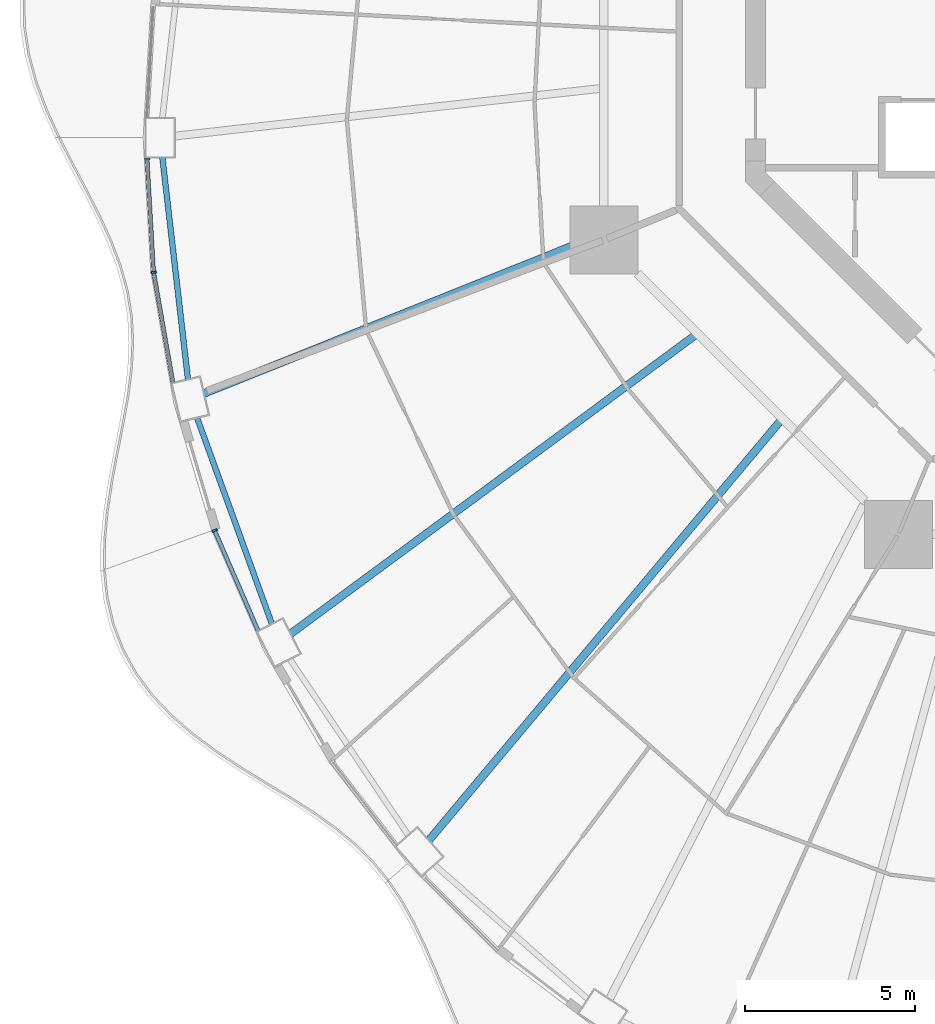
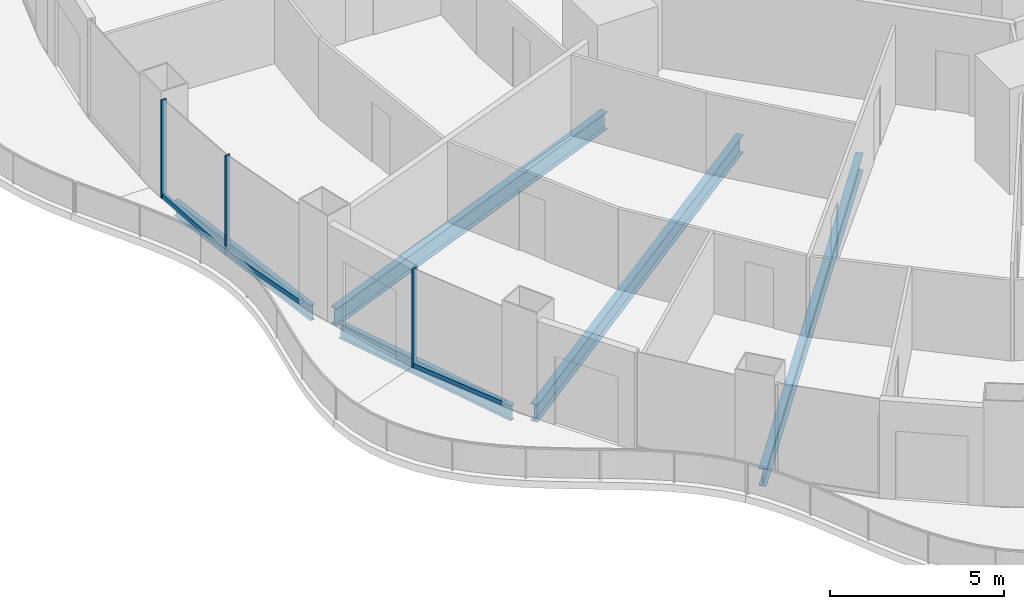
# One storey, part 3 of 20: 6 members, 5 beams, 3 elements without a shape of their own.
"""IFC4 building model written with IfcOpenShell, lengths in metres."""

from ifc_helpers import new_model, si_unit, direction, frame, origin, origin_2d, place, context, subcontext, project, spatial, rectangle, i_section, extrude, material, layer, layer_set, material_profile, profile_set, type_object, element, aggregate, save


model = new_model("IFC4")

# Units and contexts
model_context = context("Model", 3, precision=1e-05, world=origin(), true_north=direction((0.0, 1.0)))
body_context = subcontext(model_context, "Body", "Model", "MODEL_VIEW")
ifc_project = project(units=[si_unit("LENGTHUNIT", "METRE"), si_unit("AREAUNIT", "SQUARE_METRE"), si_unit("VOLUMEUNIT", "CUBIC_METRE"), si_unit("PLANEANGLEUNIT", "RADIAN"), si_unit("MASSUNIT", "GRAM", prefix="KILO")], contexts=[model_context])

# Site, building, storey
site_placement = place(None, origin())
site = spatial("IfcSite", under=ifc_project, at=site_placement, CompositionType="ELEMENT")
building_placement = place(site_placement, origin())
building = spatial("IfcBuilding", under=site, at=building_placement, Name="Nagisa Residences", CompositionType="ELEMENT")
storey_placement = place(building_placement, frame((0.0, 0.0, 152.89990234375)))
storey = spatial("IfcBuildingStorey", under=building, at=storey_placement, Name="L38", CompositionType="ELEMENT", Elevation=152.89990234375)

# Curtain wall, member
ifc_material_1 = material(Name="Concrete-coloured aluminium curtain wall system", Category="concrete")
ifc_layer = layer(ifc_material_1, 0.159912109375)
ifc_layer_set = layer_set([ifc_layer], Name="CW1 CURTAIN WALL")
curtain_wall_type = type_object("IfcCurtainWallType", Name="CW1 CURTAIN WALL", PredefinedType="NOTDEFINED", material=ifc_layer_set)
curtain_wall_1_placement = place(storey_placement, origin())
curtain_wall_1 = element("IfcCurtainWall", 1, at=curtain_wall_1_placement, inside=storey, type_object=curtain_wall_type, Name="cw:CW1:L38:24", PredefinedType="NOTDEFINED")
ifc_material_2 = material(Name="Concrete-coloured aluminium", Category="concrete")
ifc_material_profile_1 = material_profile(ifc_material_2, rectangle(XDim=0.159912109375, YDim=0.06005859375, at=origin_2d()), Name="CW1 MULLION 160x60")
ifc_profile_set_1 = profile_set([ifc_material_profile_1], Name="Concrete-coloured aluminium")
member_type_1 = type_object("IfcMemberType", Name="CW1 MULLION 160x60", PredefinedType="MULLION", material=ifc_profile_set_1)
member_1_placement = place(storey_placement, frame((-28.218994140625, -3.741943359375, 0.0), z_axis=(0.0, 0.0, 1.0), x_axis=(0.998345305184, 0.057503492216, 0.0)))
member_1 = element("IfcMember", 2, at=member_1_placement, type_object=member_type_1, Name="CW1 mullion", PredefinedType="MULLION", context=body_context, shape_type="SweptSolid", body=[
    extrude(rectangle(XDim=0.159912109375, YDim=0.06005859375, at=origin_2d()), origin(), (0.0, 0.0, 1.0), 3.440185546875),
])

curtain_wall_2_placement = place(storey_placement, origin())
curtain_wall_2 = element("IfcCurtainWall", 3, at=curtain_wall_2_placement, inside=storey, type_object=curtain_wall_type, Name="cw:CW1:L38:25", PredefinedType="NOTDEFINED")
member_2_placement = place(storey_placement, frame((-28.02392578125, -7.07470703125, 0.0), z_axis=(0.0, 0.0, 1.0), x_axis=(0.985063604377, 0.172190868898, 0.0)))
member_2 = element("IfcMember", 4, at=member_2_placement, type_object=member_type_1, Name="CW1 mullion", PredefinedType="MULLION", context=body_context, shape_type="SweptSolid", body=[
    extrude(rectangle(XDim=0.159912109375, YDim=0.06005859375, at=origin_2d()), origin(), (0.0, 0.0, 1.0), 3.440185546875),
])

curtain_wall_3_placement = place(storey_placement, origin())
curtain_wall_3 = element("IfcCurtainWall", 5, at=curtain_wall_3_placement, inside=storey, type_object=curtain_wall_type, Name="cw:CW1:L38:27", PredefinedType="NOTDEFINED")
member_3_placement = place(storey_placement, frame((-26.229736328125, -14.66845703125, 0.0), z_axis=(0.0, 0.0, 1.0), x_axis=(0.917543276295, 0.397635934147, 0.0)))
member_3 = element("IfcMember", 6, at=member_3_placement, type_object=member_type_1, Name="CW1 mullion", PredefinedType="MULLION", context=body_context, shape_type="SweptSolid", body=[
    extrude(rectangle(XDim=0.159912109375, YDim=0.06005859375, at=origin_2d()), origin(), (0.0, 0.0, 1.0), 3.440185546875),
])

# Member
ifc_material_3 = material(Name="Concrete-coloured aluminium", Category="concrete")
ifc_material_profile_2 = material_profile(ifc_material_3, rectangle(XDim=0.1201171875, YDim=0.14990234375, at=origin_2d()), Name="CW1 TRANSOM 120x150")
ifc_profile_set_2 = profile_set([ifc_material_profile_2], Name="Concrete-coloured aluminium")
member_type_2 = type_object("IfcMemberType", Name="CW1 TRANSOM 120x150", PredefinedType="USERDEFINED", material=ifc_profile_set_2)
member_4_placement = place(storey_placement, frame((-28.220703125, -3.712158203125, 0.0751953125), z_axis=(0.057537829427, -0.998343326809, 0.0), x_axis=(0.998343326809, 0.057537829427, 0.0)))
member_4 = element("IfcMember", 7, at=member_4_placement, type_object=member_type_2, Name="CW1 transom", ObjectType="TRANSOM", PredefinedType="USERDEFINED", context=body_context, shape_type="SweptSolid", body=[
    extrude(rectangle(XDim=0.1201171875, YDim=0.14990234375, at=origin_2d()), origin(), (0.0, 0.0, 1.0), 3.347900390625),
])

aggregate(curtain_wall_1, [member_1, member_4])

member_5_placement = place(storey_placement, frame((-28.029296875, -7.045166015625, 0.0751953125), z_axis=(0.172234609255, -0.985055957484, 0.0), x_axis=(0.985055957484, 0.172234609255, 0.0)))
member_5 = element("IfcMember", 8, at=member_5_placement, type_object=member_type_2, Name="CW1 transom", ObjectType="TRANSOM", PredefinedType="USERDEFINED", context=body_context, shape_type="SweptSolid", body=[
    extrude(rectangle(XDim=0.1201171875, YDim=0.14990234375, at=origin_2d()), origin(), (0.0, 0.0, 1.0), 3.33251953125),
])

aggregate(curtain_wall_2, [member_2, member_5])

member_6_placement = place(storey_placement, frame((-26.24169921875, -14.64111328125, 0.0751953125), z_axis=(0.397666272939, -0.917530127771, 0.0), x_axis=(0.917530127771, 0.397666272939, 0.0)))
member_6 = element("IfcMember", 9, at=member_6_placement, type_object=member_type_2, Name="CW1 transom", ObjectType="TRANSOM", PredefinedType="USERDEFINED", context=body_context, shape_type="SweptSolid", body=[
    extrude(rectangle(XDim=0.1201171875, YDim=0.14990234375, at=origin_2d()), origin(), (0.0, 0.0, 1.0), 3.260498046875),
])

aggregate(curtain_wall_3, [member_3, member_6])

# Beams
ifc_material_4 = material(Name="Steel ASTM A572 Gr 50", Category="steel")
ifc_material_profile_3 = material_profile(ifc_material_4, i_section(OverallWidth=0.166015625, OverallDepth=0.534912109375, WebThickness=0.01025390625, FlangeThickness=0.0166015625, at=origin_2d()), Name="W530x85")
ifc_profile_set_3 = profile_set([ifc_material_profile_3], Name="Steel ASTM A572 Gr 50")
beam_type_1 = type_object("IfcBeamType", Name="Perimeter ring beam W530x85", PredefinedType="BEAM", material=ifc_profile_set_3)
beam_1_placement = place(storey_placement, frame((-27.76806640625, -3.69775390625, -0.52734375), z_axis=(0.114660786771, -0.993404703017, 0.0), x_axis=(0.993404703017, 0.114660786771, 0.0)))
element("IfcBeam", 10, at=beam_1_placement, inside=storey, type_object=beam_type_1, Name="beam:L38:pb13", PredefinedType="BEAM", context=body_context, shape_type="SweptSolid", body=[
    extrude(i_section(OverallWidth=0.166015625, OverallDepth=0.534912109375, WebThickness=0.01025390625, FlangeThickness=0.0166015625, at=origin_2d()), origin(), (0.0, 0.0, 1.0), 6.568603515625),
])
beam_2_placement = place(storey_placement, frame((-26.74853515625, -11.352294921875, -0.52734375), z_axis=(0.341366238276, -0.939930365168, 0.0), x_axis=(0.939930365168, 0.341366238276, 0.0)))
element("IfcBeam", 11, at=beam_2_placement, inside=storey, type_object=beam_type_1, Name="beam:L38:pb14", PredefinedType="BEAM", context=body_context, shape_type="SweptSolid", body=[
    extrude(i_section(OverallWidth=0.166015625, OverallDepth=0.534912109375, WebThickness=0.01025390625, FlangeThickness=0.0166015625, at=origin_2d()), origin(), (0.0, 0.0, 1.0), 6.450927734375),
])
ifc_material_5 = material(Name="Steel ASTM A572 Gr 50", Category="steel")
ifc_material_profile_4 = material_profile(ifc_material_5, i_section(OverallWidth=0.22900390625, OverallDepth=0.612060546875, WebThickness=0.011962890625, FlangeThickness=0.01953125, at=origin_2d()), Name="W610x125")
ifc_profile_set_4 = profile_set([ifc_material_profile_4], Name="Steel ASTM A572 Gr 50")
beam_type_2 = type_object("IfcBeamType", Name="Radial beam W610x125", PredefinedType="BEAM", material=ifc_profile_set_4)
beam_3_placement = place(storey_placement, frame((-26.5439453125, -10.641357421875, -0.56591796875), z_axis=(0.928186733156, 0.372114751648, 0.0), x_axis=(-0.372114751648, 0.928186733156, 0.0)))
element("IfcBeam", 12, at=beam_3_placement, inside=storey, type_object=beam_type_2, Name="beam:L38:rb14", PredefinedType="BEAM", context=body_context, shape_type="SweptSolid", body=[
    extrude(i_section(OverallWidth=0.22900390625, OverallDepth=0.612060546875, WebThickness=0.011962890625, FlangeThickness=0.01953125, at=origin_2d()), origin(), (0.0, 0.0, 1.0), 12.554931640625),
])
beam_4_placement = place(storey_placement, frame((-23.995849609375, -17.7060546875, -0.56591796875), z_axis=(0.804660796299, 0.59373479172, 0.0), x_axis=(-0.59373479172, 0.804660796299, 0.0)))
element("IfcBeam", 13, at=beam_4_placement, inside=storey, type_object=beam_type_2, Name="beam:L38:rb15", PredefinedType="BEAM", context=body_context, shape_type="SweptSolid", body=[
    extrude(i_section(OverallWidth=0.22900390625, OverallDepth=0.612060546875, WebThickness=0.011962890625, FlangeThickness=0.01953125, at=origin_2d()), origin(), (0.0, 0.0, 1.0), 14.763427734375),
])
beam_5_placement = place(storey_placement, frame((-19.929931640625, -23.78173828125, -0.56591796875), z_axis=(0.642300860107, 0.766452611128, 0.0), x_axis=(-0.766452611128, 0.642300860107, 0.0)))
element("IfcBeam", 14, at=beam_5_placement, inside=storey, type_object=beam_type_2, Name="beam:L38:rb16", PredefinedType="BEAM", context=body_context, shape_type="SweptSolid", body=[
    extrude(i_section(OverallWidth=0.22900390625, OverallDepth=0.612060546875, WebThickness=0.011962890625, FlangeThickness=0.01953125, at=origin_2d()), origin(), (0.0, 0.0, 1.0), 16.081787109375),
])

save(model, "model.ifc")
